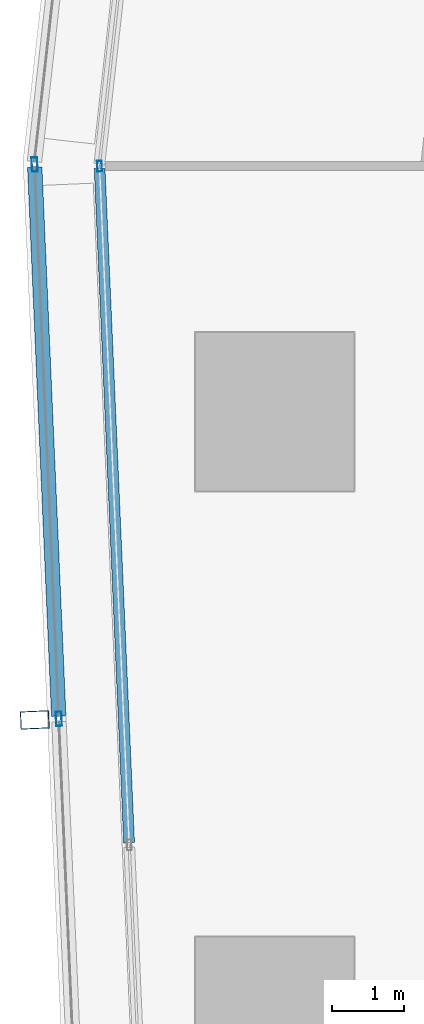
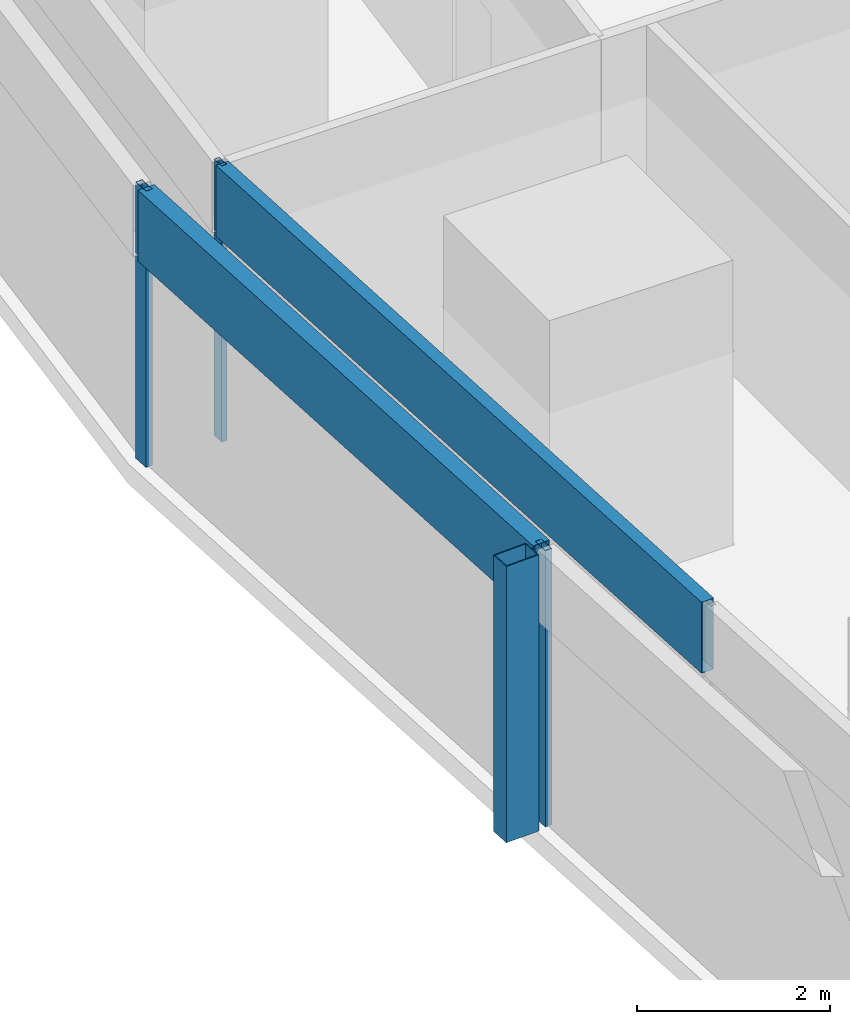
# One storey, part 14 of 45: 6 members, 2 elements without a shape of their own.
"""IFC4 building model written with IfcOpenShell, lengths in metres."""

from ifc_helpers import new_model, si_unit, direction, frame, origin, origin_2d, place, context, subcontext, project, spatial, hollow_rectangle, extrude, material, material_profile, profile_set, type_object, element, aggregate, save


model = new_model("IFC4")

# Units and contexts
model_context = context("Model", 3, precision=1e-05, world=origin(), true_north=direction((0.0, 1.0)))
body_context = subcontext(model_context, "Body", "Model", "MODEL_VIEW")
ifc_project = project(units=[si_unit("LENGTHUNIT", "METRE"), si_unit("AREAUNIT", "SQUARE_METRE"), si_unit("VOLUMEUNIT", "CUBIC_METRE"), si_unit("PLANEANGLEUNIT", "RADIAN"), si_unit("MASSUNIT", "GRAM", prefix="KILO")], contexts=[model_context])

# Site, building, storey
site_placement = place(None, origin())
site = spatial("IfcSite", under=ifc_project, at=site_placement, CompositionType="ELEMENT")
building_placement = place(site_placement, origin())
building = spatial("IfcBuilding", under=site, at=building_placement, Name="Rekha Terrace Tower", CompositionType="ELEMENT")
storey_placement = place(building_placement, frame((0.0, 0.0, 32.89990234375)))
storey = spatial("IfcBuildingStorey", under=building, at=storey_placement, Name="L07", CompositionType="ELEMENT", Elevation=32.89990234375)

# Curtain wall, member
ifc_material_1 = material(Name="Aluminium framing", Category="aluminium")
curtain_wall_type_1 = type_object("IfcCurtainWallType", Name="CW2 double skin outer glazing", PredefinedType="USERDEFINED", material=ifc_material_1)
curtain_wall_1_placement = place(storey_placement, origin())
curtain_wall_1 = element("IfcCurtainWall", 1, at=curtain_wall_1_placement, inside=storey, type_object=curtain_wall_type_1, Name="CW2 double skin outer glazing", ObjectType="DOUBLE SKIN OUTER GLAZING", PredefinedType="USERDEFINED")
ifc_material_2 = material(Name="Steel S355 with fluorocarbon finish", Category="steel")
ifc_material_profile_1 = material_profile(ifc_material_2, hollow_rectangle(XDim=0.25, YDim=0.39990234375, WallThickness=0.012451171875, at=origin_2d()), Name="RHS400x250x12.5")
ifc_profile_set_1 = profile_set([ifc_material_profile_1], Name="Steel S355 with fluorocarbon finish")
member_type_1 = type_object("IfcMemberType", Name="BL1 facade blade RHS 400 x 250", PredefinedType="USERDEFINED", material=ifc_profile_set_1)
member_1_placement = place(storey_placement, frame((5.064208984375, 37.715576171875, 0.0), z_axis=(0.0, 0.0, 1.0), x_axis=(0.04368215933, -0.999045478923, 0.0)))
member_1 = element("IfcMember", 2, at=member_1_placement, type_object=member_type_1, Name="Facade blade", ObjectType="FACADE BLADE", PredefinedType="USERDEFINED", context=body_context, shape_type="SweptSolid", body=[
    extrude(hollow_rectangle(XDim=0.25, YDim=0.39990234375, WallThickness=0.012451171875, at=origin_2d()), origin(), (0.0, 0.0, 1.0), 3.5),
])

# Curtain wall, members
curtain_wall_type_2 = type_object("IfcCurtainWallType", Name="CW1 double skin inner glazing", PredefinedType="USERDEFINED", material=ifc_material_1)
curtain_wall_2_placement = place(storey_placement, origin())
curtain_wall_2 = element("IfcCurtainWall", 3, at=curtain_wall_2_placement, inside=storey, type_object=curtain_wall_type_2, Name="CW1 double skin inner glazing", ObjectType="DOUBLE SKIN INNER GLAZING", PredefinedType="USERDEFINED")
ifc_material_3 = material(Name="Aluminium mullion section", Category="aluminium")
ifc_material_profile_2 = material_profile(ifc_material_3, hollow_rectangle(XDim=0.06494140625, YDim=0.14990234375, WallThickness=0.00390625, at=origin_2d()), Name="AL RHS 65x150")
ifc_profile_set_2 = profile_set([ifc_material_profile_2], Name="Aluminium mullion section")
member_type_2 = type_object("IfcMemberType", Name="CW1 mullion RHS 65 x 150", PredefinedType="MULLION", material=ifc_profile_set_2)
member_2_placement = place(storey_placement, frame((5.964111328125, 45.4111328125, 0.0), z_axis=(0.0, 0.0, 1.0), x_axis=(0.999045462133, 0.043682543337, 0.0)))
member_2 = element("IfcMember", 4, at=member_2_placement, type_object=member_type_2, Name="CW1 mullion 1", PredefinedType="MULLION", context=body_context, shape_type="SweptSolid", body=[
    extrude(hollow_rectangle(XDim=0.06494140625, YDim=0.14990234375, WallThickness=0.00390625, at=origin_2d()), origin(), (0.0, 0.0, 1.0), 3.5),
])
ifc_material_4 = material(Name="Insulated aluminium spandrel box", Category="aluminium")
ifc_material_profile_3 = material_profile(ifc_material_4, hollow_rectangle(XDim=0.14990234375, YDim=0.89990234375, WallThickness=0.0029296875, at=origin_2d()), Name="AL SPANDREL BOX 150x900")
ifc_profile_set_3 = profile_set([ifc_material_profile_3], Name="Insulated aluminium spandrel box")
member_type_3 = type_object("IfcMemberType", Name="CW1 spandrel transom 150 x 900", PredefinedType="USERDEFINED", material=ifc_profile_set_3)
member_3_placement = place(storey_placement, frame((5.96533203125, 45.378662109375, 3.050048828125), z_axis=(0.043689187094, -0.999045171617, 0.0), x_axis=(0.999045171617, 0.043689187094, 0.0)))
member_3 = element("IfcMember", 5, at=member_3_placement, type_object=member_type_3, Name="CW1 spandrel transom 1", ObjectType="TRANSOM", PredefinedType="USERDEFINED", context=body_context, shape_type="SweptSolid", body=[
    extrude(hollow_rectangle(XDim=0.14990234375, YDim=0.89990234375, WallThickness=0.0029296875, at=origin_2d()), origin(), (0.0, 0.0, 1.0), 9.376953125),
])
aggregate(curtain_wall_2, [member_2, member_3])

# Member
ifc_material_profile_4 = material_profile(ifc_material_3, hollow_rectangle(XDim=0.080078125, YDim=0.199951171875, WallThickness=0.00390625, at=origin_2d()), Name="AL RHS 80x200")
ifc_profile_set_4 = profile_set([ifc_material_profile_4], Name="Aluminium mullion section")
member_type_4 = type_object("IfcMemberType", Name="CW2 mullion RHS 80 x 200", PredefinedType="MULLION", material=ifc_profile_set_4)
member_4_placement = place(storey_placement, frame((5.062255859375, 45.4345703125, 0.0), z_axis=(0.0, 0.0, 1.0), x_axis=(0.999045462131, 0.043682543372, 0.0)))
member_4 = element("IfcMember", 6, at=member_4_placement, type_object=member_type_4, Name="CW2 mullion 1", PredefinedType="MULLION", context=body_context, shape_type="SweptSolid", body=[
    extrude(hollow_rectangle(XDim=0.080078125, YDim=0.199951171875, WallThickness=0.00390625, at=origin_2d()), origin(), (0.0, 0.0, 1.0), 3.5),
])

member_5_placement = place(storey_placement, frame((5.39892578125, 37.730224609375, 0.0), z_axis=(0.0, 0.0, 1.0), x_axis=(0.999045462131, 0.043682543372, 0.0)))
member_5 = element("IfcMember", 7, at=member_5_placement, type_object=member_type_4, Name="CW2 mullion 2", PredefinedType="MULLION", context=body_context, shape_type="SweptSolid", body=[
    extrude(hollow_rectangle(XDim=0.080078125, YDim=0.199951171875, WallThickness=0.00390625, at=origin_2d()), origin(), (0.0, 0.0, 1.0), 3.5),
])

ifc_material_profile_5 = material_profile(ifc_material_4, hollow_rectangle(XDim=0.199951171875, YDim=0.89990234375, WallThickness=0.0029296875, at=origin_2d()), Name="AL SPANDREL BOX 200x900")
ifc_profile_set_5 = profile_set([ifc_material_profile_5], Name="Insulated aluminium spandrel box")
member_type_5 = type_object("IfcMemberType", Name="CW2 spandrel transom 200 x 900", PredefinedType="USERDEFINED", material=ifc_profile_set_5)
member_6_placement = place(storey_placement, frame((5.06396484375, 45.39453125, 3.050048828125), z_axis=(0.043666283256, -0.99904617296, 0.0), x_axis=(0.99904617296, 0.043666283256, 0.0)))
member_6 = element("IfcMember", 8, at=member_6_placement, type_object=member_type_5, Name="CW2 spandrel transom 1", ObjectType="TRANSOM", PredefinedType="USERDEFINED", context=body_context, shape_type="SweptSolid", body=[
    extrude(hollow_rectangle(XDim=0.199951171875, YDim=0.89990234375, WallThickness=0.0029296875, at=origin_2d()), origin(), (0.0, 0.0, 1.0), 7.6318359375),
])

aggregate(curtain_wall_1, [member_4, member_5, member_6, member_1])

save(model, "model.ifc")
